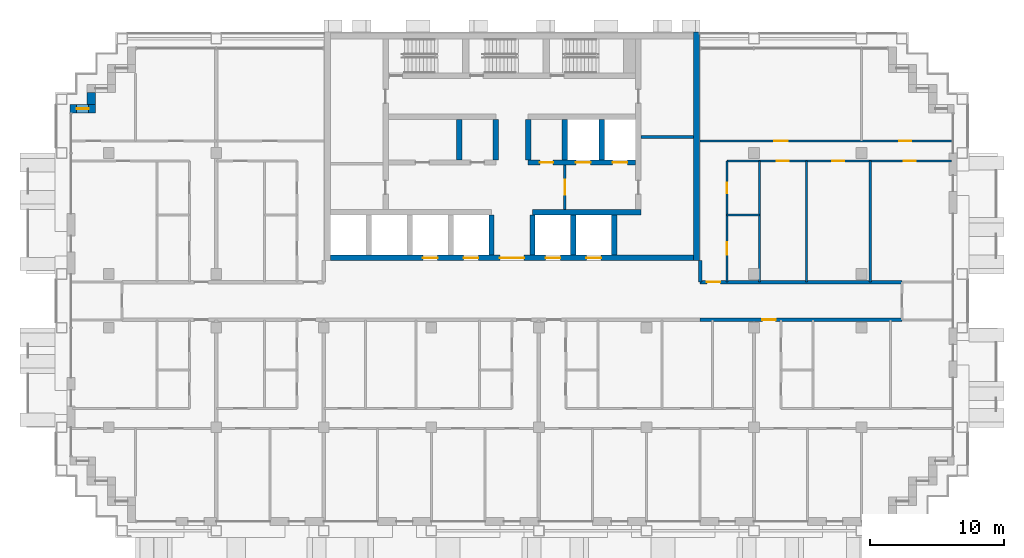
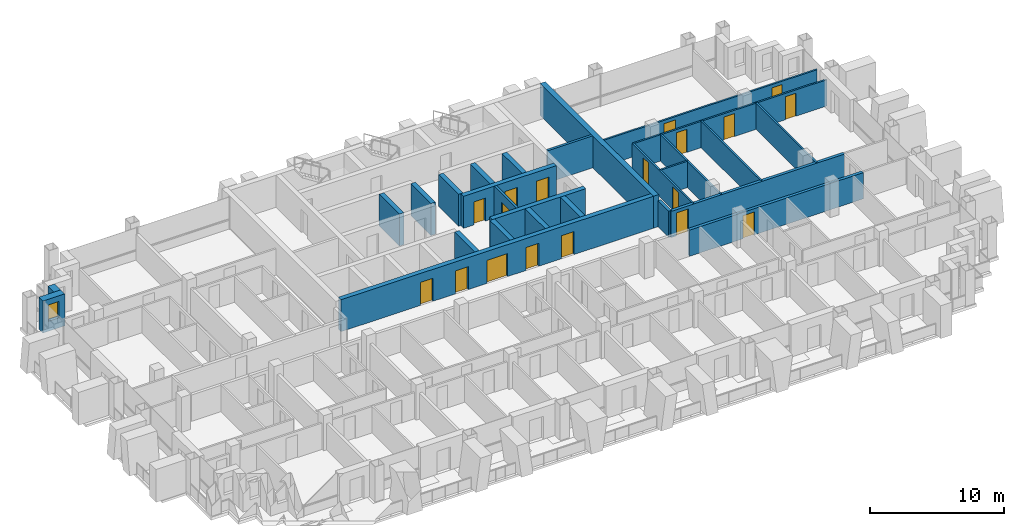
# One storey, part 11 of 17: 27 walls, 18 doors, 1 window, 19 openings.
"""IFC4 building model written with IfcOpenShell, lengths in metres."""

from ifc_helpers import new_model, si_unit, direction, frame, frame_2d, origin, place, context, subcontext, project, spatial, rectangle, extrude, material, layer, layer_set, type_object, element, fill, save


model = new_model("IFC4")

# Units and contexts
model_context = context("Model", 3, precision=1e-05, world=origin(), true_north=direction((0.0, 1.0)))
body_context = subcontext(model_context, "Body", "Model", "MODEL_VIEW")
ifc_project = project(units=[si_unit("LENGTHUNIT", "METRE"), si_unit("AREAUNIT", "SQUARE_METRE"), si_unit("VOLUMEUNIT", "CUBIC_METRE"), si_unit("PLANEANGLEUNIT", "RADIAN"), si_unit("MASSUNIT", "GRAM", prefix="KILO")], contexts=[model_context])

# Site, building, storey
site_placement = place(None, origin())
site = spatial("IfcSite", under=ifc_project, at=site_placement, CompositionType="ELEMENT")
building_placement = place(site_placement, origin())
building = spatial("IfcBuilding", under=site, at=building_placement, Name="Vidyagriha Tower", CompositionType="ELEMENT")
storey_placement = place(building_placement, frame((0.0, 0.0, 119.800048828125)))
storey = spatial("IfcBuildingStorey", under=building, at=storey_placement, Name="L30", CompositionType="ELEMENT", Elevation=119.800048828125)

# Wall
ifc_material_1 = material(Name="Precast concrete C40/50 with brick facing", Category="concrete")
ifc_layer_1 = layer(ifc_material_1, 0.60009765625)
ifc_layer_set_1 = layer_set([ifc_layer_1], Name="Precast concrete C40/50 with brick facing")
wall_type_1 = type_object("IfcWallType", Name="Brick-faced precast wall 600", PredefinedType="STANDARD", material=ifc_layer_set_1)
wall_1_placement = place(storey_placement, frame((-31.300048828125, 15.5, 0.0), z_axis=(0.0, 0.0, 1.0), x_axis=(0.0, -1.0, 0.0)))
element("IfcWall", 1, at=wall_1_placement, inside=storey, type_object=wall_type_1, Name="Stepped corner wall L30 R14", PredefinedType="STANDARD", context=body_context, shape_type="SweptSolid", body=[
    extrude(rectangle(XDim=0.89990234375, YDim=0.60009765625, at=frame_2d((0.449951171875, 0.0))), origin(), (0.0, 0.0, 1.0), 2.919921875),
])

# Wall, opening, window
wall_2_placement = place(storey_placement, frame((-31.0, 14.300048828125, 0.0), z_axis=(0.0, 0.0, 1.0), x_axis=(-1.0, 0.0, 0.0)))
wall_2 = element("IfcWall", 2, at=wall_2_placement, inside=storey, type_object=wall_type_1, Name="Stepped corner wall L30 R15", PredefinedType="STANDARD", context=body_context, shape_type="SweptSolid", body=[
    extrude(rectangle(XDim=1.8798828125, YDim=0.60009765625, at=frame_2d((0.93994140625, 0.0))), origin(), (0.0, 0.0, 1.0), 2.919921875),
])
opening_1_placement = place(wall_2_placement, frame((0.489990234375, 0.0, 0.89990234375)))
opening_1 = element("IfcOpeningElement", 3, at=opening_1_placement, cuts=wall_2, Name="Opening WN1", PredefinedType="OPENING", context=body_context, shape_type="SweptSolid", body=[
    extrude(rectangle(XDim=0.89990234375, YDim=1.5, at=frame_2d((0.449951171875, 0.75))), frame((0.0, 0.31005859375, 0.0), z_axis=(0.0, -1.0, 0.0), x_axis=(1.0, 0.0, 0.0)), (0.0, 0.0, 1.0), 0.6201171875),
])
ifc_material_2 = material(Name="Aluminium and glass window", Category="aluminium")
window_type = type_object("IfcWindowType", Name="Reveal window 900x1500", PartitioningType="NOTDEFINED", PredefinedType="WINDOW", material=ifc_material_2)
window_placement = place(opening_1_placement, origin())
window = element("IfcWindow", 4, at=window_placement, inside=storey, type_object=window_type, Name="Reveal window L30 R15", OverallHeight=1.5, OverallWidth=0.89990234375, PartitioningType="SINGLE_PANEL", PredefinedType="WINDOW", context=body_context, shape_type="SweptSolid", body=[
    extrude(rectangle(XDim=0.89990234375, YDim=1.5, at=frame_2d((0.449951171875, 0.75))), frame((0.0, 0.030029296875, 0.0), z_axis=(0.0, -1.0, 0.0), x_axis=(1.0, 0.0, 0.0)), (0.0, 0.0, 1.0), 0.06005859375),
])
fill(opening_1, window)

# Wall, openings, doors
ifc_material_3 = material(Name="Concrete C60/75", Category="concrete")
ifc_layer_2 = layer(ifc_material_3, 0.39990234375)
ifc_layer_set_2 = layer_set([ifc_layer_2], Name="Concrete C60/75")
wall_type_2 = type_object("IfcWallType", Name="Core shear wall 400 mm", PredefinedType="SHEAR", material=ifc_layer_set_2)
wall_3_placement = place(storey_placement, frame((-13.5, 3.199951171875, 0.0)))
wall_3 = element("IfcWall", 5, at=wall_3_placement, inside=storey, type_object=wall_type_2, Name="Core front wall", PredefinedType="SHEAR", context=body_context, shape_type="SweptSolid", body=[
    extrude(rectangle(XDim=27.0, YDim=0.39990234375, at=frame_2d((13.5, 0.0))), origin(), (0.0, 0.0, 1.0), 2.919921875),
])
opening_2_placement = place(wall_3_placement, frame((6.861083984375, 0.0, 0.0)))
opening_2 = element("IfcOpeningElement", 6, at=opening_2_placement, cuts=wall_3, Name="Opening LD30-01", PredefinedType="OPENING", context=body_context, shape_type="SweptSolid", body=[
    extrude(rectangle(XDim=1.10009765625, YDim=2.10009765625, at=frame_2d((0.550048828125, 1.050048828125))), frame((0.0, 0.2099609375, 0.0), z_axis=(0.0, -1.0, 0.0), x_axis=(1.0, 0.0, 0.0)), (0.0, 0.0, 1.0), 0.419921875),
])
opening_3_placement = place(wall_3_placement, frame((9.905517578125, 0.0, 0.0)))
opening_3 = element("IfcOpeningElement", 7, at=opening_3_placement, cuts=wall_3, Name="Opening LD30-02", PredefinedType="OPENING", context=body_context, shape_type="SweptSolid", body=[
    extrude(rectangle(XDim=1.10009765625, YDim=2.10009765625, at=frame_2d((0.550048828125, 1.050048828125))), frame((0.0, 0.2099609375, 0.0), z_axis=(0.0, -1.0, 0.0), x_axis=(1.0, 0.0, 0.0)), (0.0, 0.0, 1.0), 0.419921875),
])
opening_4_placement = place(wall_3_placement, frame((15.994384765625, 0.0, 0.0)))
opening_4 = element("IfcOpeningElement", 8, at=opening_4_placement, cuts=wall_3, Name="Opening LD30-03", PredefinedType="OPENING", context=body_context, shape_type="SweptSolid", body=[
    extrude(rectangle(XDim=1.10009765625, YDim=2.10009765625, at=frame_2d((0.550048828125, 1.050048828125))), frame((0.0, 0.2099609375, 0.0), z_axis=(0.0, -1.0, 0.0), x_axis=(1.0, 0.0, 0.0)), (0.0, 0.0, 1.0), 0.419921875),
])
opening_5_placement = place(wall_3_placement, frame((19.038818359375, 0.0, 0.0)))
opening_5 = element("IfcOpeningElement", 9, at=opening_5_placement, cuts=wall_3, Name="Opening LD30-04", PredefinedType="OPENING", context=body_context, shape_type="SweptSolid", body=[
    extrude(rectangle(XDim=1.10009765625, YDim=2.10009765625, at=frame_2d((0.550048828125, 1.050048828125))), frame((0.0, 0.2099609375, 0.0), z_axis=(0.0, -1.0, 0.0), x_axis=(1.0, 0.0, 0.0)), (0.0, 0.0, 1.0), 0.419921875),
])
opening_6_placement = place(wall_3_placement, frame((12.60009765625, 0.0, 0.0)))
opening_6 = element("IfcOpeningElement", 10, at=opening_6_placement, cuts=wall_3, Name="Opening D30-01", PredefinedType="OPENING", context=body_context, shape_type="SweptSolid", body=[
    extrude(rectangle(XDim=1.800048828125, YDim=2.10009765625, at=frame_2d((0.89990234375, 1.050048828125))), frame((0.0, 0.2099609375, 0.0), z_axis=(0.0, -1.0, 0.0), x_axis=(1.0, 0.0, 0.0)), (0.0, 0.0, 1.0), 0.419921875),
])
ifc_material_4 = material(Name="Hollow metal door leaf")
door_type_1 = type_object("IfcDoorType", Name="Core lobby double door 1800 x 2100 mm EI 60", OperationType="NOTDEFINED", PredefinedType="DOOR", material=ifc_material_4)
door_1_placement = place(opening_6_placement, frame((1.800048828125, 0.0, 0.0), z_axis=(0.0, 0.0, 1.0), x_axis=(-1.0, 0.0, 0.0)))
door_1 = element("IfcDoor", 11, at=door_1_placement, inside=storey, type_object=door_type_1, Name="Core entrance door L30", OperationType="DOUBLE_DOOR_SINGLE_SWING", OverallHeight=2.10009765625, OverallWidth=1.800048828125, PredefinedType="DOOR", context=body_context, shape_type="SweptSolid", body=[
    extrude(rectangle(XDim=1.800048828125, YDim=2.10009765625, at=frame_2d((0.89990234375, 1.050048828125))), frame((0.0, 0.02490234375, 0.0), z_axis=(0.0, -1.0, 0.0), x_axis=(1.0, 0.0, 0.0)), (0.0, 0.0, 1.0), 0.050048828125),
])
fill(opening_6, door_1)
ifc_material_5 = material(Name="Stainless steel sliding door panel", Category="steel")
door_type_2 = type_object("IfcDoorType", Name="Lift landing door 1100 x 2100 mm EI 90", OperationType="NOTDEFINED", PredefinedType="DOOR", material=ifc_material_5)
door_2_placement = place(opening_2_placement, origin())
door_2 = element("IfcDoor", 12, at=door_2_placement, inside=storey, type_object=door_type_2, Name="Landing door LR1 L30", OperationType="SLIDING_TO_LEFT", OverallHeight=2.10009765625, OverallWidth=1.10009765625, PredefinedType="DOOR", context=body_context, shape_type="SweptSolid", body=[
    extrude(rectangle(XDim=1.10009765625, YDim=2.10009765625, at=frame_2d((0.550048828125, 1.050048828125))), frame((0.0, 0.02490234375, 0.0), z_axis=(0.0, -1.0, 0.0), x_axis=(1.0, 0.0, 0.0)), (0.0, 0.0, 1.0), 0.050048828125),
])
fill(opening_2, door_2)
door_3_placement = place(opening_3_placement, origin())
door_3 = element("IfcDoor", 13, at=door_3_placement, inside=storey, type_object=door_type_2, Name="Landing door LR2 L30", OperationType="SLIDING_TO_LEFT", OverallHeight=2.10009765625, OverallWidth=1.10009765625, PredefinedType="DOOR", context=body_context, shape_type="SweptSolid", body=[
    extrude(rectangle(XDim=1.10009765625, YDim=2.10009765625, at=frame_2d((0.550048828125, 1.050048828125))), frame((0.0, 0.02490234375, 0.0), z_axis=(0.0, -1.0, 0.0), x_axis=(1.0, 0.0, 0.0)), (0.0, 0.0, 1.0), 0.050048828125),
])
fill(opening_3, door_3)
door_4_placement = place(opening_4_placement, origin())
door_4 = element("IfcDoor", 14, at=door_4_placement, inside=storey, type_object=door_type_2, Name="Landing door LR3 L30", OperationType="SLIDING_TO_LEFT", OverallHeight=2.10009765625, OverallWidth=1.10009765625, PredefinedType="DOOR", context=body_context, shape_type="SweptSolid", body=[
    extrude(rectangle(XDim=1.10009765625, YDim=2.10009765625, at=frame_2d((0.550048828125, 1.050048828125))), frame((0.0, 0.02490234375, 0.0), z_axis=(0.0, -1.0, 0.0), x_axis=(1.0, 0.0, 0.0)), (0.0, 0.0, 1.0), 0.050048828125),
])
fill(opening_4, door_4)
door_5_placement = place(opening_5_placement, origin())
door_5 = element("IfcDoor", 15, at=door_5_placement, inside=storey, type_object=door_type_2, Name="Landing door LR4 L30", OperationType="SLIDING_TO_LEFT", OverallHeight=2.10009765625, OverallWidth=1.10009765625, PredefinedType="DOOR", context=body_context, shape_type="SweptSolid", body=[
    extrude(rectangle(XDim=1.10009765625, YDim=2.10009765625, at=frame_2d((0.550048828125, 1.050048828125))), frame((0.0, 0.02490234375, 0.0), z_axis=(0.0, -1.0, 0.0), x_axis=(1.0, 0.0, 0.0)), (0.0, 0.0, 1.0), 0.050048828125),
])
fill(opening_5, door_5)

# Walls
wall_4_placement = place(storey_placement, frame((1.522216796875, 6.60009765625, 0.0)))
element("IfcWall", 16, at=wall_4_placement, inside=storey, type_object=wall_type_2, Name="Core lobby south wall east", PredefinedType="SHEAR", context=body_context, shape_type="SweptSolid", body=[
    extrude(rectangle(XDim=8.077880859375, YDim=0.39990234375, at=frame_2d((4.0390625, 0.0))), origin(), (0.0, 0.0, 1.0), 2.919921875),
])
for number, where, z_axis, x_axis, name in (
    (17, (-1.522216796875, 3.39990234375, 0.0), (0.0, 0.0, 1.0), (0.0, 1.0, 0.0), "Core bay wall S4"),
    (18, (1.522216796875, 3.39990234375, 0.0), (0.0, 0.0, 1.0), (0.0, 1.0, 0.0), "Core bay wall S5"),
    (19, (4.566650390625, 3.39990234375, 0.0), (0.0, 0.0, 1.0), (0.0, 1.0, 0.0), "Core bay wall S6"),
    (20, (7.611083984375, 3.39990234375, 0.0), (0.0, 0.0, 1.0), (0.0, 1.0, 0.0), "Core bay wall S7"),
):
    element("IfcWall", number, at=place(storey_placement, frame(where, z_axis=z_axis, x_axis=x_axis)), inside=storey, type_object=wall_type_2, Name=name, PredefinedType="SHEAR", context=body_context, shape_type="SweptSolid", body=[
        extrude(rectangle(XDim=3.0, YDim=0.39990234375, at=frame_2d((1.5, 0.0))), origin(), (0.0, 0.0, 1.0), 2.919921875),
    ])

# Wall, openings, doors
wall_5_placement = place(storey_placement, frame((1.199951171875, 10.300048828125, 0.0)))
wall_5 = element("IfcWall", 21, at=wall_5_placement, inside=storey, type_object=wall_type_2, Name="Core row N front wall", PredefinedType="SHEAR", context=body_context, shape_type="SweptSolid", body=[
    extrude(rectangle(XDim=8.0, YDim=0.39990234375, at=frame_2d((4.0, 0.0))), origin(), (0.0, 0.0, 1.0), 2.919921875),
])
opening_7_placement = place(wall_5_placement, frame((3.550048828125, 0.0, 0.0)))
opening_7 = element("IfcOpeningElement", 22, at=opening_7_placement, cuts=wall_5, Name="Opening LD30-05", PredefinedType="OPENING", context=body_context, shape_type="SweptSolid", body=[
    extrude(rectangle(XDim=1.10009765625, YDim=2.10009765625, at=frame_2d((0.550048828125, 1.050048828125))), frame((0.0, 0.2099609375, 0.0), z_axis=(0.0, -1.0, 0.0), x_axis=(1.0, 0.0, 0.0)), (0.0, 0.0, 1.0), 0.419921875),
])
opening_8_placement = place(wall_5_placement, frame((6.283203125, 0.0, 0.0)))
opening_8 = element("IfcOpeningElement", 23, at=opening_8_placement, cuts=wall_5, Name="Opening LD30-06", PredefinedType="OPENING", context=body_context, shape_type="SweptSolid", body=[
    extrude(rectangle(XDim=1.10009765625, YDim=2.10009765625, at=frame_2d((0.550048828125, 1.050048828125))), frame((0.0, 0.2099609375, 0.0), z_axis=(0.0, -1.0, 0.0), x_axis=(1.0, 0.0, 0.0)), (0.0, 0.0, 1.0), 0.419921875),
])
opening_9_placement = place(wall_5_placement, frame((0.86669921875, 0.0, 0.0)))
opening_9 = element("IfcOpeningElement", 24, at=opening_9_placement, cuts=wall_5, Name="Opening D30-04", PredefinedType="OPENING", context=body_context, shape_type="SweptSolid", body=[
    extrude(rectangle(XDim=1.0, YDim=2.10009765625, at=frame_2d((0.5, 1.050048828125))), frame((0.0, 0.2099609375, 0.0), z_axis=(0.0, -1.0, 0.0), x_axis=(1.0, 0.0, 0.0)), (0.0, 0.0, 1.0), 0.419921875),
])
ifc_material_6 = material(Name="Hollow metal door leaf")
door_type_3 = type_object("IfcDoorType", Name="Core room door 1000 x 2100 mm EI 60", OperationType="NOTDEFINED", PredefinedType="DOOR", material=ifc_material_6)
door_6_placement = place(opening_9_placement, frame((1.0, 0.0, 0.0), z_axis=(0.0, 0.0, 1.0), x_axis=(-1.0, 0.0, 0.0)))
door_6 = element("IfcDoor", 25, at=door_6_placement, inside=storey, type_object=door_type_3, Name="Door Mechanical Riser Room 30.16", OperationType="SINGLE_SWING_LEFT", OverallHeight=2.10009765625, OverallWidth=1.0, PredefinedType="DOOR", context=body_context, shape_type="SweptSolid", body=[
    extrude(rectangle(XDim=1.0, YDim=2.10009765625, at=frame_2d((0.5, 1.050048828125))), frame((0.0, 0.02490234375, 0.0), z_axis=(0.0, -1.0, 0.0), x_axis=(1.0, 0.0, 0.0)), (0.0, 0.0, 1.0), 0.050048828125),
])
fill(opening_9, door_6)
door_7_placement = place(opening_7_placement, origin())
door_7 = element("IfcDoor", 26, at=door_7_placement, inside=storey, type_object=door_type_2, Name="Landing door FF1 L30", OperationType="SLIDING_TO_LEFT", OverallHeight=2.10009765625, OverallWidth=1.10009765625, PredefinedType="DOOR", context=body_context, shape_type="SweptSolid", body=[
    extrude(rectangle(XDim=1.10009765625, YDim=2.10009765625, at=frame_2d((0.550048828125, 1.050048828125))), frame((0.0, 0.02490234375, 0.0), z_axis=(0.0, -1.0, 0.0), x_axis=(1.0, 0.0, 0.0)), (0.0, 0.0, 1.0), 0.050048828125),
])
fill(opening_7, door_7)
door_8_placement = place(opening_8_placement, origin())
door_8 = element("IfcDoor", 27, at=door_8_placement, inside=storey, type_object=door_type_2, Name="Landing door FF2 L30", OperationType="SLIDING_TO_LEFT", OverallHeight=2.10009765625, OverallWidth=1.10009765625, PredefinedType="DOOR", context=body_context, shape_type="SweptSolid", body=[
    extrude(rectangle(XDim=1.10009765625, YDim=2.10009765625, at=frame_2d((0.550048828125, 1.050048828125))), frame((0.0, 0.02490234375, 0.0), z_axis=(0.0, -1.0, 0.0), x_axis=(1.0, 0.0, 0.0)), (0.0, 0.0, 1.0), 0.050048828125),
])
fill(opening_8, door_8)

# Walls
for number, where, z_axis, x_axis, name in (
    (28, (-3.933349609375, 10.5, 0.0), (0.0, 0.0, 1.0), (0.0, 1.0, 0.0), "Core bay wall N2"),
    (29, (-1.199951171875, 10.5, 0.0), (0.0, 0.0, 1.0), (0.0, 1.0, 0.0), "Core bay wall N3"),
    (30, (1.199951171875, 10.5, 0.0), (0.0, 0.0, 1.0), (0.0, 1.0, 0.0), "Core bay wall N4"),
    (31, (3.933349609375, 10.5, 0.0), (0.0, 0.0, 1.0), (0.0, 1.0, 0.0), "Core bay wall N5"),
    (32, (6.666748046875, 10.5, 0.0), (0.0, 0.0, 1.0), (0.0, 1.0, 0.0), "Core bay wall N6"),
):
    element("IfcWall", number, at=place(storey_placement, frame(where, z_axis=z_axis, x_axis=x_axis)), inside=storey, type_object=wall_type_2, Name=name, PredefinedType="SHEAR", context=body_context, shape_type="SweptSolid", body=[
        extrude(rectangle(XDim=3.0, YDim=0.39990234375, at=frame_2d((1.5, 0.0))), origin(), (0.0, 0.0, 1.0), 2.919921875),
    ])
ifc_material_7 = material(Name="Concrete C60/75", Category="concrete")
ifc_layer_3 = layer(ifc_material_7, 0.449951171875)
ifc_layer_set_3 = layer_set([ifc_layer_3], Name="Concrete C60/75")
wall_type_3 = type_object("IfcWallType", Name="Core shear wall 450 mm", PredefinedType="SHEAR", material=ifc_layer_set_3)
wall_6_placement = place(storey_placement, frame((13.72509765625, 3.0, 0.0), z_axis=(0.0, 0.0, 1.0), x_axis=(0.0, 1.0, 0.0)))
element("IfcWall", 33, at=wall_6_placement, inside=storey, type_object=wall_type_3, Name="Core east wall", PredefinedType="SHEAR", context=body_context, shape_type="SweptSolid", body=[
    extrude(rectangle(XDim=17.0, YDim=0.449951171875, at=frame_2d((8.5, 0.0))), origin(), (0.0, 0.0, 1.0), 2.919921875),
])

# Wall, opening, door
ifc_material_8 = material(Name="Fired clay brick masonry", Category="masonry")
ifc_layer_4 = layer(ifc_material_8, 0.25)
ifc_layer_set_4 = layer_set([ifc_layer_4], Name="Fired clay brick masonry")
wall_type_4 = type_object("IfcWallType", Name="Fired clay brick corridor wall 250", PredefinedType="PARTITIONING", material=ifc_layer_set_4)
wall_7_placement = place(storey_placement, frame((29.0, -1.39990234375, 0.0), z_axis=(0.0, 0.0, 1.0), x_axis=(-1.0, 0.0, 0.0)))
wall_7 = element("IfcWall", 34, at=wall_7_placement, inside=storey, type_object=wall_type_4, Name="Wall all-L30-w087", PredefinedType="PARTITIONING", context=body_context, shape_type="SweptSolid", body=[
    extrude(rectangle(XDim=15.0, YDim=0.25, at=frame_2d((7.5, 0.0))), origin(), (0.0, 0.0, 1.0), 2.39990234375),
])
opening_10_placement = place(wall_7_placement, frame((9.382080078125, 0.0, 0.0)))
opening_10 = element("IfcOpeningElement", 35, at=opening_10_placement, cuts=wall_7, Name="Opening D30-52", PredefinedType="OPENING", context=body_context, shape_type="SweptSolid", body=[
    extrude(rectangle(XDim=1.0, YDim=2.10009765625, at=frame_2d((0.5, 1.050048828125))), frame((0.0, 0.135009765625, 0.0), z_axis=(0.0, -1.0, 0.0), x_axis=(1.0, 0.0, 0.0)), (0.0, 0.0, 1.0), 0.27001953125),
])
ifc_material_9 = material(Name="Fire-rated timber door leaf EI 60", Category="wood")
door_type_4 = type_object("IfcDoorType", Name="Flat entrance fire door 1000x2100", OperationType="NOTDEFINED", PredefinedType="DOOR", material=ifc_material_9)
door_9_placement = place(opening_10_placement, origin())
door_9 = element("IfcDoor", 36, at=door_9_placement, inside=storey, type_object=door_type_4, Name="Door D30-52", OperationType="SINGLE_SWING_RIGHT", OverallHeight=2.10009765625, OverallWidth=1.0, PredefinedType="DOOR", context=body_context, shape_type="SweptSolid", body=[
    extrude(rectangle(XDim=1.0, YDim=2.10009765625, at=frame_2d((0.5, 1.050048828125))), frame((0.0, 0.02490234375, 0.0), z_axis=(0.0, -1.0, 0.0), x_axis=(1.0, 0.0, 0.0)), (0.0, 0.0, 1.0), 0.050048828125),
])
fill(opening_10, door_9)

wall_8_placement = place(storey_placement, frame((14.0, 1.39990234375, 0.0)))
wall_8 = element("IfcWall", 37, at=wall_8_placement, inside=storey, type_object=wall_type_4, Name="Wall all-L30-w130", PredefinedType="PARTITIONING", context=body_context, shape_type="SweptSolid", body=[
    extrude(rectangle(XDim=15.0, YDim=0.25, at=frame_2d((7.5, 0.0))), origin(), (0.0, 0.0, 1.0), 2.39990234375),
])
opening_11_placement = place(wall_8_placement, frame((0.5, 0.0, 0.0)))
opening_11 = element("IfcOpeningElement", 38, at=opening_11_placement, cuts=wall_8, Name="Opening D30-71", PredefinedType="OPENING", context=body_context, shape_type="SweptSolid", body=[
    extrude(rectangle(XDim=1.0, YDim=2.10009765625, at=frame_2d((0.5, 1.050048828125))), frame((0.0, 0.135009765625, 0.0), z_axis=(0.0, -1.0, 0.0), x_axis=(1.0, 0.0, 0.0)), (0.0, 0.0, 1.0), 0.27001953125),
])
door_10_placement = place(opening_11_placement, origin())
door_10 = element("IfcDoor", 39, at=door_10_placement, inside=storey, type_object=door_type_4, Name="Door D30-71", OperationType="SINGLE_SWING_LEFT", OverallHeight=2.10009765625, OverallWidth=1.0, PredefinedType="DOOR", context=body_context, shape_type="SweptSolid", body=[
    extrude(rectangle(XDim=1.0, YDim=2.10009765625, at=frame_2d((0.5, 1.050048828125))), frame((0.0, 0.02490234375, 0.0), z_axis=(0.0, -1.0, 0.0), x_axis=(1.0, 0.0, 0.0)), (0.0, 0.0, 1.0), 0.050048828125),
])
fill(opening_11, door_10)

# Walls
wall_9_placement = place(storey_placement, frame((14.0, 1.39990234375, 0.0), z_axis=(0.0, 0.0, 1.0), x_axis=(0.0, 1.0, 0.0)))
element("IfcWall", 40, at=wall_9_placement, inside=storey, type_object=wall_type_4, Name="Wall all-L30-w138", PredefinedType="PARTITIONING", context=body_context, shape_type="SweptSolid", body=[
    extrude(rectangle(XDim=1.60009765625, YDim=0.25, at=frame_2d((0.800048828125, 0.0))), origin(), (0.0, 0.0, 1.0), 2.39990234375),
])
ifc_material_10 = material(Name="Gypsum board partition")
ifc_layer_5 = layer(ifc_material_10, 0.14990234375)
ifc_layer_set_5 = layer_set([ifc_layer_5], Name="Gypsum board partition")
wall_type_5 = type_object("IfcWallType", Name="Gypsum board partition 150", PredefinedType="PARTITIONING", material=ifc_layer_set_5)
wall_10_placement = place(storey_placement, frame((16.0, 6.39990234375, 0.0)))
element("IfcWall", 41, at=wall_10_placement, inside=storey, type_object=wall_type_5, Name="Wall all-L30-w117", PredefinedType="PARTITIONING", context=body_context, shape_type="SweptSolid", body=[
    extrude(rectangle(XDim=2.39990234375, YDim=0.14990234375, at=frame_2d((1.199951171875, 0.0))), origin(), (0.0, 0.0, 1.0), 2.39990234375),
])
for number, where, z_axis, x_axis, name in (
    (42, (18.39990234375, 10.39990234375, 0.0), (0.0, 0.0, 1.0), (0.0, -1.0, 0.0), "Wall all-L30-w118"),
    (43, (21.89990234375, 10.39990234375, 0.0), (0.0, 0.0, 1.0), (0.0, -1.0, 0.0), "Wall all-L30-w119"),
    (44, (26.64990234375, 10.39990234375, 0.0), (0.0, 0.0, 1.0), (0.0, -1.0, 0.0), "Wall all-L30-w120"),
):
    element("IfcWall", number, at=place(storey_placement, frame(where, z_axis=z_axis, x_axis=x_axis)), inside=storey, type_object=wall_type_5, Name=name, PredefinedType="PARTITIONING", context=body_context, shape_type="SweptSolid", body=[
        extrude(rectangle(XDim=9.0, YDim=0.14990234375, at=frame_2d((4.5, 0.0))), origin(), (0.0, 0.0, 1.0), 2.39990234375),
    ])

# Wall, openings, doors
wall_11_placement = place(storey_placement, frame((32.7099609375, 10.39990234375, 0.0), z_axis=(0.0, 0.0, 1.0), x_axis=(-1.0, 0.0, 0.0)))
wall_11 = element("IfcWall", 45, at=wall_11_placement, inside=storey, type_object=wall_type_5, Name="Wall all-L30-w121", PredefinedType="PARTITIONING", context=body_context, shape_type="SweptSolid", body=[
    extrude(rectangle(XDim=16.7099609375, YDim=0.14990234375, at=frame_2d((8.35498046875, 0.0))), origin(), (0.0, 0.0, 1.0), 2.39990234375),
])
opening_12_placement = place(wall_11_placement, frame((12.110107421875, 0.0, 0.0)))
opening_12 = element("IfcOpeningElement", 46, at=opening_12_placement, cuts=wall_11, Name="Opening D30-66", PredefinedType="OPENING", context=body_context, shape_type="SweptSolid", body=[
    extrude(rectangle(XDim=0.89990234375, YDim=2.10009765625, at=frame_2d((0.449951171875, 1.050048828125))), frame((0.0, 0.0849609375, 0.0), z_axis=(0.0, -1.0, 0.0), x_axis=(1.0, 0.0, 0.0)), (0.0, 0.0, 1.0), 0.169921875),
])
opening_13_placement = place(wall_11_placement, frame((7.985107421875, 0.0, 0.0)))
opening_13 = element("IfcOpeningElement", 47, at=opening_13_placement, cuts=wall_11, Name="Opening D30-67", PredefinedType="OPENING", context=body_context, shape_type="SweptSolid", body=[
    extrude(rectangle(XDim=0.89990234375, YDim=2.10009765625, at=frame_2d((0.449951171875, 1.050048828125))), frame((0.0, 0.0849609375, 0.0), z_axis=(0.0, -1.0, 0.0), x_axis=(1.0, 0.0, 0.0)), (0.0, 0.0, 1.0), 0.169921875),
])
opening_14_placement = place(wall_11_placement, frame((2.68505859375, 0.0, 0.0)))
opening_14 = element("IfcOpeningElement", 48, at=opening_14_placement, cuts=wall_11, Name="Opening D30-68", PredefinedType="OPENING", context=body_context, shape_type="SweptSolid", body=[
    extrude(rectangle(XDim=0.89990234375, YDim=2.10009765625, at=frame_2d((0.449951171875, 1.050048828125))), frame((0.0, 0.0849609375, 0.0), z_axis=(0.0, -1.0, 0.0), x_axis=(1.0, 0.0, 0.0)), (0.0, 0.0, 1.0), 0.169921875),
])
ifc_material_11 = material(Name="Timber door leaf", Category="wood")
door_type_5 = type_object("IfcDoorType", Name="Room door 900x2100", OperationType="NOTDEFINED", PredefinedType="DOOR", material=ifc_material_11)
door_11_placement = place(opening_12_placement, origin())
door_11 = element("IfcDoor", 49, at=door_11_placement, inside=storey, type_object=door_type_5, Name="Door D30-66", OperationType="SINGLE_SWING_RIGHT", OverallHeight=2.10009765625, OverallWidth=0.89990234375, PredefinedType="DOOR", context=body_context, shape_type="SweptSolid", body=[
    extrude(rectangle(XDim=0.89990234375, YDim=2.10009765625, at=frame_2d((0.449951171875, 1.050048828125))), frame((0.0, 0.02490234375, 0.0), z_axis=(0.0, -1.0, 0.0), x_axis=(1.0, 0.0, 0.0)), (0.0, 0.0, 1.0), 0.050048828125),
])
fill(opening_12, door_11)
door_12_placement = place(opening_13_placement, origin())
door_12 = element("IfcDoor", 50, at=door_12_placement, inside=storey, type_object=door_type_5, Name="Door D30-67", OperationType="SINGLE_SWING_RIGHT", OverallHeight=2.10009765625, OverallWidth=0.89990234375, PredefinedType="DOOR", context=body_context, shape_type="SweptSolid", body=[
    extrude(rectangle(XDim=0.89990234375, YDim=2.10009765625, at=frame_2d((0.449951171875, 1.050048828125))), frame((0.0, 0.02490234375, 0.0), z_axis=(0.0, -1.0, 0.0), x_axis=(1.0, 0.0, 0.0)), (0.0, 0.0, 1.0), 0.050048828125),
])
fill(opening_13, door_12)
door_13_placement = place(opening_14_placement, origin())
door_13 = element("IfcDoor", 51, at=door_13_placement, inside=storey, type_object=door_type_5, Name="Door D30-68", OperationType="SINGLE_SWING_RIGHT", OverallHeight=2.10009765625, OverallWidth=0.89990234375, PredefinedType="DOOR", context=body_context, shape_type="SweptSolid", body=[
    extrude(rectangle(XDim=0.89990234375, YDim=2.10009765625, at=frame_2d((0.449951171875, 1.050048828125))), frame((0.0, 0.02490234375, 0.0), z_axis=(0.0, -1.0, 0.0), x_axis=(1.0, 0.0, 0.0)), (0.0, 0.0, 1.0), 0.050048828125),
])
fill(opening_14, door_13)

wall_12_placement = place(storey_placement, frame((14.0, 11.89990234375, 0.0)))
wall_12 = element("IfcWall", 52, at=wall_12_placement, inside=storey, type_object=wall_type_5, Name="Wall all-L30-w125", PredefinedType="PARTITIONING", context=body_context, shape_type="SweptSolid", body=[
    extrude(rectangle(XDim=18.719970703125, YDim=0.14990234375, at=frame_2d((9.35986328125, 0.0))), origin(), (0.0, 0.0, 1.0), 2.39990234375),
])
opening_15_placement = place(wall_12_placement, frame((5.5, 0.0, 0.0)))
opening_15 = element("IfcOpeningElement", 53, at=opening_15_placement, cuts=wall_12, Name="Opening D30-69", PredefinedType="OPENING", context=body_context, shape_type="SweptSolid", body=[
    extrude(rectangle(XDim=1.0, YDim=2.10009765625, at=frame_2d((0.5, 1.050048828125))), frame((0.0, 0.0849609375, 0.0), z_axis=(0.0, -1.0, 0.0), x_axis=(1.0, 0.0, 0.0)), (0.0, 0.0, 1.0), 0.169921875),
])
opening_16_placement = place(wall_12_placement, frame((14.800048828125, 0.0, 0.0)))
opening_16 = element("IfcOpeningElement", 54, at=opening_16_placement, cuts=wall_12, Name="Opening D30-70", PredefinedType="OPENING", context=body_context, shape_type="SweptSolid", body=[
    extrude(rectangle(XDim=0.89990234375, YDim=2.10009765625, at=frame_2d((0.449951171875, 1.050048828125))), frame((0.0, 0.0849609375, 0.0), z_axis=(0.0, -1.0, 0.0), x_axis=(1.0, 0.0, 0.0)), (0.0, 0.0, 1.0), 0.169921875),
])
ifc_material_12 = material(Name="Timber door leaf", Category="wood")
door_type_6 = type_object("IfcDoorType", Name="Room door 1000x2100", OperationType="NOTDEFINED", PredefinedType="DOOR", material=ifc_material_12)
door_14_placement = place(opening_15_placement, origin())
door_14 = element("IfcDoor", 55, at=door_14_placement, inside=storey, type_object=door_type_6, Name="Door D30-69", OperationType="SINGLE_SWING_RIGHT", OverallHeight=2.10009765625, OverallWidth=1.0, PredefinedType="DOOR", context=body_context, shape_type="SweptSolid", body=[
    extrude(rectangle(XDim=1.0, YDim=2.10009765625, at=frame_2d((0.5, 1.050048828125))), frame((0.0, 0.02490234375, 0.0), z_axis=(0.0, -1.0, 0.0), x_axis=(1.0, 0.0, 0.0)), (0.0, 0.0, 1.0), 0.050048828125),
])
fill(opening_15, door_14)
door_15_placement = place(opening_16_placement, origin())
door_15 = element("IfcDoor", 56, at=door_15_placement, inside=storey, type_object=door_type_5, Name="Door D30-70", OperationType="SINGLE_SWING_RIGHT", OverallHeight=2.10009765625, OverallWidth=0.89990234375, PredefinedType="DOOR", context=body_context, shape_type="SweptSolid", body=[
    extrude(rectangle(XDim=0.89990234375, YDim=2.10009765625, at=frame_2d((0.449951171875, 1.050048828125))), frame((0.0, 0.02490234375, 0.0), z_axis=(0.0, -1.0, 0.0), x_axis=(1.0, 0.0, 0.0)), (0.0, 0.0, 1.0), 0.050048828125),
])
fill(opening_16, door_15)

ifc_material_13 = material(Name="Moisture resistant gypsum board partition")
ifc_layer_6 = layer(ifc_material_13, 0.14990234375)
ifc_layer_set_6 = layer_set([ifc_layer_6], Name="Moisture resistant gypsum board partition")
wall_type_6 = type_object("IfcWallType", Name="Gypsum board wet-area partition 150", PredefinedType="PARTITIONING", material=ifc_layer_set_6)
wall_13_placement = place(storey_placement, frame((16.0, 10.39990234375, 0.0), z_axis=(0.0, 0.0, 1.0), x_axis=(0.0, -1.0, 0.0)))
wall_13 = element("IfcWall", 57, at=wall_13_placement, inside=storey, type_object=wall_type_6, Name="Wall all-L30-w114", PredefinedType="PARTITIONING", context=body_context, shape_type="SweptSolid", body=[
    extrude(rectangle(XDim=9.0, YDim=0.14990234375, at=frame_2d((4.5, 0.0))), origin(), (0.0, 0.0, 1.0), 2.39990234375),
])
opening_17_placement = place(wall_13_placement, frame((6.050048828125, 0.0, 0.0)))
opening_17 = element("IfcOpeningElement", 58, at=opening_17_placement, cuts=wall_13, Name="Opening D30-64", PredefinedType="OPENING", context=body_context, shape_type="SweptSolid", body=[
    extrude(rectangle(XDim=0.89990234375, YDim=2.10009765625, at=frame_2d((0.449951171875, 1.050048828125))), frame((0.0, 0.0849609375, 0.0), z_axis=(0.0, -1.0, 0.0), x_axis=(1.0, 0.0, 0.0)), (0.0, 0.0, 1.0), 0.169921875),
])
opening_18_placement = place(wall_13_placement, frame((1.60009765625, 0.0, 0.0)))
opening_18 = element("IfcOpeningElement", 59, at=opening_18_placement, cuts=wall_13, Name="Opening D30-65", PredefinedType="OPENING", context=body_context, shape_type="SweptSolid", body=[
    extrude(rectangle(XDim=0.800048828125, YDim=2.10009765625, at=frame_2d((0.39990234375, 1.050048828125))), frame((0.0, 0.0849609375, 0.0), z_axis=(0.0, -1.0, 0.0), x_axis=(1.0, 0.0, 0.0)), (0.0, 0.0, 1.0), 0.169921875),
])
ifc_material_14 = material(Name="Timber door leaf", Category="wood")
door_type_7 = type_object("IfcDoorType", Name="Bathroom door 800x2100", OperationType="NOTDEFINED", PredefinedType="DOOR", material=ifc_material_14)
door_16_placement = place(opening_18_placement, origin())
door_16 = element("IfcDoor", 60, at=door_16_placement, inside=storey, type_object=door_type_7, Name="Door D30-65", OperationType="SINGLE_SWING_RIGHT", OverallHeight=2.10009765625, OverallWidth=0.800048828125, PredefinedType="DOOR", context=body_context, shape_type="SweptSolid", body=[
    extrude(rectangle(XDim=0.800048828125, YDim=2.10009765625, at=frame_2d((0.39990234375, 1.050048828125))), frame((0.0, 0.02490234375, 0.0), z_axis=(0.0, -1.0, 0.0), x_axis=(1.0, 0.0, 0.0)), (0.0, 0.0, 1.0), 0.050048828125),
])
fill(opening_18, door_16)
ifc_material_15 = material(Name="Timber door leaf", Category="wood")
door_type_8 = type_object("IfcDoorType", Name="Kitchen door 900x2100", OperationType="NOTDEFINED", PredefinedType="DOOR", material=ifc_material_15)
door_17_placement = place(opening_17_placement, origin())
door_17 = element("IfcDoor", 61, at=door_17_placement, inside=storey, type_object=door_type_8, Name="Door D30-64", OperationType="SINGLE_SWING_LEFT", OverallHeight=2.10009765625, OverallWidth=0.89990234375, PredefinedType="DOOR", context=body_context, shape_type="SweptSolid", body=[
    extrude(rectangle(XDim=0.89990234375, YDim=2.10009765625, at=frame_2d((0.449951171875, 1.050048828125))), frame((0.0, 0.02490234375, 0.0), z_axis=(0.0, -1.0, 0.0), x_axis=(1.0, 0.0, 0.0)), (0.0, 0.0, 1.0), 0.050048828125),
])
fill(opening_17, door_17)

# Wall, opening, door
ifc_material_16 = material(Name="Blockwork 15 MPa", Category="masonry")
ifc_layer_7 = layer(ifc_material_16, 0.199951171875)
ifc_layer_set_7 = layer_set([ifc_layer_7], Name="Blockwork 15 MPa")
wall_type_7 = type_object("IfcWallType", Name="Service room partition 200 mm", PredefinedType="PARTITIONING", material=ifc_layer_set_7)
wall_14_placement = place(storey_placement, frame((3.933349609375, 6.800048828125, 0.0), z_axis=(0.0, 0.0, 1.0), x_axis=(0.0, 1.0, 0.0)))
wall_14 = element("IfcWall", 62, at=wall_14_placement, inside=storey, type_object=wall_type_7, Name="Fire-fighting lobby west wall", PredefinedType="PARTITIONING", context=body_context, shape_type="SweptSolid", body=[
    extrude(rectangle(XDim=3.300048828125, YDim=0.199951171875, at=frame_2d((1.64990234375, 0.0))), origin(), (0.0, 0.0, 1.0), 2.919921875),
])
opening_19_placement = place(wall_14_placement, frame((1.10009765625, 0.0, 0.0)))
opening_19 = element("IfcOpeningElement", 63, at=opening_19_placement, cuts=wall_14, Name="Opening D30-05", PredefinedType="OPENING", context=body_context, shape_type="SweptSolid", body=[
    extrude(rectangle(XDim=1.10009765625, YDim=2.10009765625, at=frame_2d((0.550048828125, 1.050048828125))), frame((0.0, 0.10986328125, 0.0), z_axis=(0.0, -1.0, 0.0), x_axis=(1.0, 0.0, 0.0)), (0.0, 0.0, 1.0), 0.219970703125),
])
ifc_material_17 = material(Name="Hollow metal door leaf")
door_type_9 = type_object("IfcDoorType", Name="Fire-fighting lobby door 1100 x 2100 mm EI 90", OperationType="NOTDEFINED", PredefinedType="DOOR", material=ifc_material_17)
door_18_placement = place(opening_19_placement, origin())
door_18 = element("IfcDoor", 64, at=door_18_placement, inside=storey, type_object=door_type_9, Name="Fire-fighting lobby door L30", OperationType="SINGLE_SWING_RIGHT", OverallHeight=2.10009765625, OverallWidth=1.10009765625, PredefinedType="DOOR", context=body_context, shape_type="SweptSolid", body=[
    extrude(rectangle(XDim=1.10009765625, YDim=2.10009765625, at=frame_2d((0.550048828125, 1.050048828125))), frame((0.0, 0.02490234375, 0.0), z_axis=(0.0, -1.0, 0.0), x_axis=(1.0, 0.0, 0.0)), (0.0, 0.0, 1.0), 0.050048828125),
])
fill(opening_19, door_18)

# Wall
wall_15_placement = place(storey_placement, frame((9.60009765625, 12.199951171875, 0.0)))
element("IfcWall", 65, at=wall_15_placement, inside=storey, type_object=wall_type_7, Name="Core room partition E1", PredefinedType="PARTITIONING", context=body_context, shape_type="SweptSolid", body=[
    extrude(rectangle(XDim=3.89990234375, YDim=0.199951171875, at=frame_2d((1.949951171875, 0.0))), origin(), (0.0, 0.0, 1.0), 2.919921875),
])

save(model, "model.ifc")
